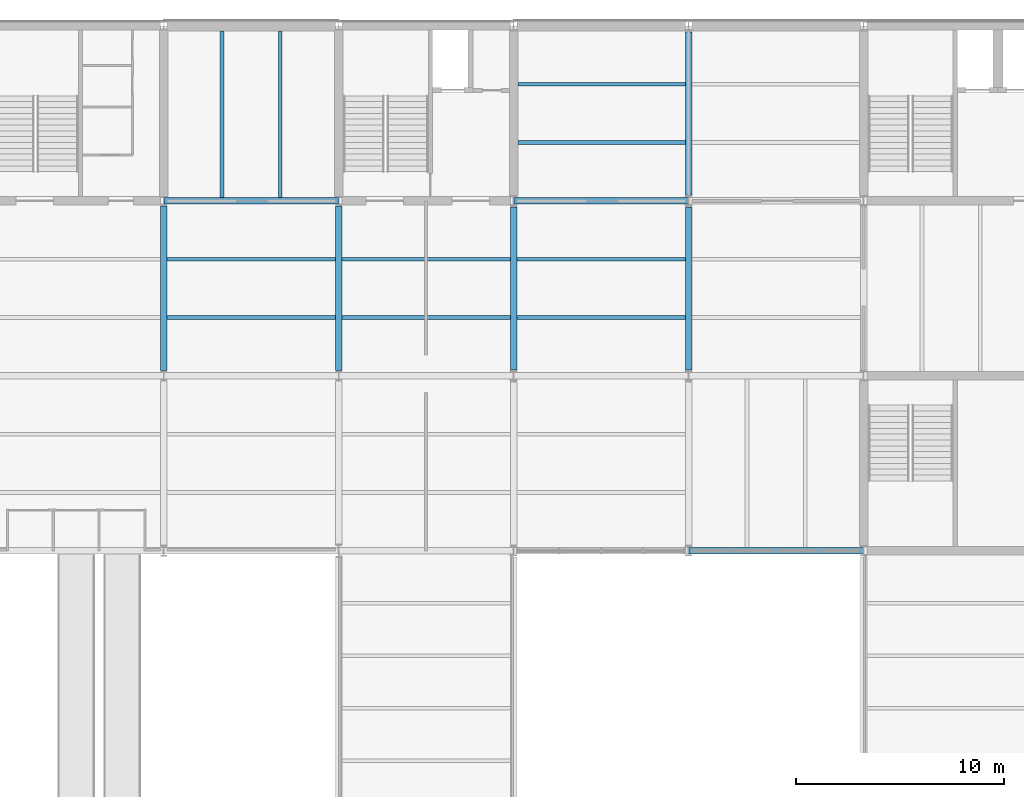
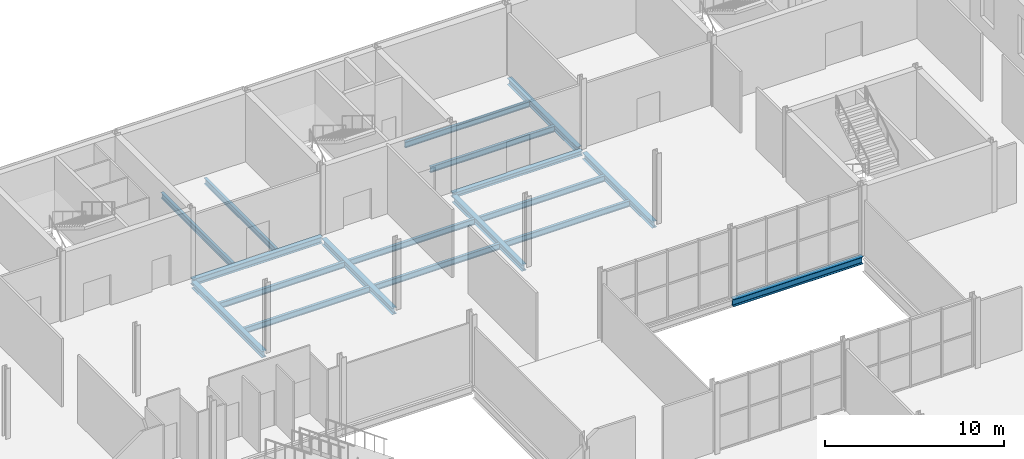
# One storey, part 23 of 52: 18 beams.
"""IFC4 building model written with IfcOpenShell, lengths in metres."""

import ifcopenshell
import ifcopenshell.guid

model = None  # the IFC model being written
_history = None  # IfcOwnerHistory: only IFC2X3 demands one
_inside = {}  # id of a spatial element -> (the spatial element, [elements in it])
_under = {}  # id of a project, library or spatial element -> (it, [spatial elements below it])
_declared = {}  # id of a project -> (the project, [libraries it declares])
_typed = {}  # id of a type object -> (the type object, [elements of that type])
_made_of = {}  # id of a material, layer set ... -> (it, [elements and type objects made of it])


def new_model(schema):
    """Start an empty IFC model of exactly this schema.

    Asked for "IFC4X3", IfcOpenShell would pick the latest addendum, in which some entities
    have other attributes; the version numbers below select the first issue.
    IFC2X3 requires an IfcOwnerHistory on every rooted entity: one is made here for all.
    """
    global model, _history
    if schema == "IFC4X3":
        model = ifcopenshell.file(schema_version=(4, 3, 0, 0))
    else:
        model = ifcopenshell.file(schema=schema)
    _inside.clear()
    _under.clear()
    _declared.clear()
    _typed.clear()
    _made_of.clear()
    _history = None
    if model.schema == "IFC2X3":
        org = make("IfcOrganization", Name="unknown")
        user = make(
            "IfcPersonAndOrganization",
            ThePerson=make("IfcPerson", FamilyName="unknown"),
            TheOrganization=org,
        )
        app = make(
            "IfcApplication",
            ApplicationDeveloper=org,
            Version="unknown",
            ApplicationFullName="unknown",
            ApplicationIdentifier="unknown",
        )
        _history = make(
            "IfcOwnerHistory",
            OwningUser=user,
            OwningApplication=app,
            ChangeAction="ADDED",
            CreationDate=0,
        )
    return model


def make(cls, **values):
    """One entity of the class cls with the attributes given. An attribute that is None is left unset."""
    return model.create_entity(
        cls, **{name: value for name, value in values.items() if value is not None}
    )


def rooted(cls, **values):
    """An entity with a GlobalId (a new one), such as an element, a storey or a relation."""
    return make(cls, GlobalId=ifcopenshell.guid.new(), OwnerHistory=_history, **values)


def si_unit(unit_type, name, prefix=None):
    """IfcSIUnit, for example si_unit("LENGTHUNIT", "METRE", prefix="MILLI")."""
    return make("IfcSIUnit", UnitType=unit_type, Prefix=prefix, Name=name)


def assignment(units):
    """IfcUnitAssignment: the units of a project."""
    return None if units is None else make("IfcUnitAssignment", Units=units)


def point(xyz):
    """IfcCartesianPoint."""
    return None if xyz is None else make("IfcCartesianPoint", Coordinates=xyz)


def direction(xyz):
    """IfcDirection."""
    return None if xyz is None else make("IfcDirection", DirectionRatios=xyz)


def frame(location, z_axis=None, x_axis=None):
    """IfcAxis2Placement3D, a coordinate frame: its origin and axes. An axis left out is left unset."""
    return make(
        "IfcAxis2Placement3D",
        Location=point(location),
        Axis=direction(z_axis),
        RefDirection=direction(x_axis),
    )


def frame_2d(location, x_axis=None):
    """IfcAxis2Placement2D, a coordinate frame in the plane: its origin and x axis."""
    return make(
        "IfcAxis2Placement2D", Location=point(location), RefDirection=direction(x_axis)
    )


def origin():
    """The frame at (0, 0, 0) with its axes left unset."""
    return frame((0.0, 0.0, 0.0))


def origin_2d():
    """The frame at (0, 0) in the plane with its x axis left unset."""
    return frame_2d((0.0, 0.0))


def place(relative_to, where):
    """IfcLocalPlacement: puts the frame where relative to a parent placement (None: the world)."""
    return make(
        "IfcLocalPlacement", PlacementRelTo=relative_to, RelativePlacement=where
    )


def context(
    kind, dimensions, precision=None, world=None, true_north=None, identifier=None
):
    """IfcGeometricRepresentationContext, for example the 3D "Model" context."""
    return make(
        "IfcGeometricRepresentationContext",
        ContextIdentifier=identifier,
        ContextType=kind,
        CoordinateSpaceDimension=dimensions,
        Precision=precision,
        WorldCoordinateSystem=world,
        TrueNorth=true_north,
    )


def subcontext(parent, identifier, kind, view, scale=None):
    """IfcGeometricRepresentationSubContext, for example "Body" below "Model"."""
    return make(
        "IfcGeometricRepresentationSubContext",
        ContextIdentifier=identifier,
        ContextType=kind,
        ParentContext=parent,
        TargetScale=scale,
        TargetView=view,
    )


def project(units=None, contexts=None):
    """IfcProject with its units and contexts."""
    return rooted(
        "IfcProject",
        Name="project",
        RepresentationContexts=contexts,
        UnitsInContext=assignment(units),
    )


def spatial(cls, under=None, at=None, **own):
    """A site, building, storey or space (cls), placed at a placement, below another one or the project."""
    s = rooted(cls, ObjectPlacement=at, **own)
    if under is not None:
        _under.setdefault(under.id(), (under, []))[1].append(s)
    return s


def profile(cls, at=None, kind="AREA", **sizes):
    """A parametric profile (cls). Its sizes go by their IFC names, for example OverallWidth=200.0."""
    return make(cls, ProfileType=kind, Position=at, **sizes)


def i_section(**sizes):
    """IfcIShapeProfileDef."""
    return profile("IfcIShapeProfileDef", **sizes)


def extrude(swept, where, along, depth):
    """IfcExtrudedAreaSolid: the profile swept, set in the frame where, extruded along a direction by depth."""
    return make(
        "IfcExtrudedAreaSolid",
        SweptArea=swept,
        Position=where,
        ExtrudedDirection=direction(along),
        Depth=depth,
    )


def shape(context_of_items, identifier, shape_type, items):
    """IfcShapeRepresentation: the items that make up one representation, for example the "Body"."""
    return make(
        "IfcShapeRepresentation",
        ContextOfItems=context_of_items,
        RepresentationIdentifier=identifier,
        RepresentationType=shape_type,
        Items=items,
    )


def material(Name=None, Category=None):
    """IfcMaterial."""
    return make("IfcMaterial", Name=Name, Category=Category)


def material_profile(
    of_material, cross_section, Name=None, Category=None, Priority=None
):
    """IfcMaterialProfile: a cross section and its material."""
    return make(
        "IfcMaterialProfile",
        Name=Name,
        Material=of_material,
        Profile=cross_section,
        Priority=Priority,
        Category=Category,
    )


def profile_set(profiles, Name=None, composite=None):
    """IfcMaterialProfileSet."""
    return make(
        "IfcMaterialProfileSet",
        Name=Name,
        MaterialProfiles=profiles,
        CompositeProfile=composite,
    )


def made_of(thing, what):
    """Note that an element or type object is made of a material, layer set ...; save() writes the relation."""
    if what is not None:
        _made_of.setdefault(what.id(), (what, []))[1].append(thing)
    return thing


def type_object(cls, material=None, **own):
    """A type object (cls), such as IfcWallType, which elements share."""
    return made_of(rooted(cls, **own), material)


def element(
    cls,
    number,
    at=None,
    inside=None,
    cuts=None,
    type_object=None,
    material=None,
    context=None,
    identifier="Body",
    shape_type=None,
    held_by="IfcProductDefinitionShape",
    body=None,
    shapes=None,
    **own,
):
    """One element of the class cls, such as IfcWall. Its Tag is "e" and its number.

    at: its placement. inside: the storey or other place that contains it. cuts: it is an
    opening in that element (IfcRelVoidsElement). A single representation is given by context,
    identifier, shape_type and body (its items); several are given by shapes. held_by: the class
    of the entity that holds the representations. save() writes the other relations.
    """
    e = rooted(cls, Tag="e%d" % number, ObjectPlacement=at, **own)
    if body is not None:
        shapes = [shape(context, identifier, shape_type, body)]
    if shapes is not None:
        e.Representation = make(held_by, Representations=shapes)
    if inside is not None:
        _inside.setdefault(inside.id(), (inside, []))[1].append(e)
    if cuts is not None:
        rooted(
            "IfcRelVoidsElement", RelatingBuildingElement=cuts, RelatedOpeningElement=e
        )
    if type_object is not None:
        _typed.setdefault(type_object.id(), (type_object, []))[1].append(e)
    return made_of(e, material)


def aggregate(whole, parts):
    """IfcRelAggregates: a whole, such as a stair, and the parts it consists of."""
    return rooted("IfcRelAggregates", RelatingObject=whole, RelatedObjects=parts)


def save(model, path):
    """Write the relations noted so far, then the file.

    IfcRelAggregates (storeys below a building ...), IfcRelContainedInSpatialStructure (elements
    in a storey), IfcRelDefinesByType, IfcRelAssociatesMaterial and IfcRelDeclares: one each for
    every whole, place, type object, material and project.
    """
    for whole, parts in _under.values():
        aggregate(whole, parts)
    for where, things in _inside.values():
        rooted(
            "IfcRelContainedInSpatialStructure",
            RelatedElements=things,
            RelatingStructure=where,
        )
    for kind, things in _typed.values():
        rooted("IfcRelDefinesByType", RelatedObjects=things, RelatingType=kind)
    for what, things in _made_of.values():
        rooted("IfcRelAssociatesMaterial", RelatedObjects=things, RelatingMaterial=what)
    for by, libraries in _declared.values():
        rooted("IfcRelDeclares", RelatingContext=by, RelatedDefinitions=libraries)
    model.write(path)


model = new_model("IFC4")

# Units and contexts
model_context = context("Model", 3, precision=1e-05, world=origin(), true_north=direction((0.0, 1.0)))
body_context = subcontext(model_context, "Body", "Model", "MODEL_VIEW")
ifc_project = project(units=[si_unit("LENGTHUNIT", "METRE"), si_unit("AREAUNIT", "SQUARE_METRE"), si_unit("VOLUMEUNIT", "CUBIC_METRE"), si_unit("PLANEANGLEUNIT", "RADIAN"), si_unit("MASSUNIT", "GRAM", prefix="KILO")], contexts=[model_context])

# Site, building, storey
site_placement = place(None, origin())
site = spatial("IfcSite", under=ifc_project, at=site_placement, CompositionType="ELEMENT")
building_placement = place(site_placement, origin())
building = spatial("IfcBuilding", under=site, at=building_placement, Name="Galleria Vessillo Department Store", CompositionType="ELEMENT")
storey_placement = place(building_placement, frame((0.0, 0.0, 16.199951171875)))
storey = spatial("IfcBuildingStorey", under=building, at=storey_placement, Name="L03", CompositionType="ELEMENT", Elevation=16.199951171875)

# Beams
ifc_material_1 = material(Name="Steel S355 J2", Category="steel")
ifc_material_profile_1 = material_profile(ifc_material_1, i_section(OverallWidth=0.300048828125, OverallDepth=0.43994140625, WebThickness=0.011474609375, FlangeThickness=0.02099609375, FilletRadius=0.027099609375, at=origin_2d()), Name="HEA 450")
ifc_profile_set_1 = profile_set([ifc_material_profile_1], Name="Steel S355 J2")
beam_type_1 = type_object("IfcBeamType", Name="Floor girder HEA 450", PredefinedType="BEAM", material=ifc_profile_set_1)
beam_1_placement = place(storey_placement, frame((67.207275390625, 54.60009765625, -0.369873046875), z_axis=(1.0, 0.0, 0.0), x_axis=(0.0, 1.0, 0.0)))
element("IfcBeam", 1, at=beam_1_placement, inside=storey, type_object=beam_type_1, Name="S-BM-L03-GI-x54600-67207", PredefinedType="BEAM", context=body_context, shape_type="SweptSolid", body=[
    extrude(i_section(OverallWidth=0.300048828125, OverallDepth=0.43994140625, WebThickness=0.011474609375, FlangeThickness=0.02099609375, FilletRadius=0.027099609375, at=origin_2d()), origin(), (0.0, 0.0, 1.0), 8.38525390625),
])
for number, where, z_axis, x_axis, name in (
    (2, (67.199951171875, 46.4501953125, -0.369873046875), (0.0, 1.0, 0.0), (-1.0, 0.0, 0.0), "S-BM-L03-GI-y67200-46450"),
    (3, (75.60009765625, 46.4501953125, -0.369873046875), (0.0, 1.0, 0.0), (-1.0, 0.0, 0.0), "S-BM-L03-GI-y75600-46450"),
):
    element("IfcBeam", number, at=place(storey_placement, frame(where, z_axis=z_axis, x_axis=x_axis)), inside=storey, type_object=beam_type_1, Name=name, PredefinedType="BEAM", context=body_context, shape_type="SweptSolid", body=[
        extrude(i_section(OverallWidth=0.300048828125, OverallDepth=0.43994140625, WebThickness=0.011474609375, FlangeThickness=0.02099609375, FilletRadius=0.027099609375, at=origin_2d()), origin(), (0.0, 0.0, 1.0), 7.899658203125),
    ])
for number, where, z_axis, x_axis, name in (
    (4, (84.0, 46.486083984375, -0.369873046875), (0.0, 1.0, 0.0), (-1.0, 0.0, 0.0), "S-BM-L03-GI-y84000-46486"),
    (5, (92.39990234375, 46.486083984375, -0.369873046875), (0.0, 1.0, 0.0), (-1.0, 0.0, 0.0), "S-BM-L03-GI-y92400-46486"),
):
    element("IfcBeam", number, at=place(storey_placement, frame(where, z_axis=z_axis, x_axis=x_axis)), inside=storey, type_object=beam_type_1, Name=name, PredefinedType="BEAM", context=body_context, shape_type="SweptSolid", body=[
        extrude(i_section(OverallWidth=0.300048828125, OverallDepth=0.43994140625, WebThickness=0.011474609375, FlangeThickness=0.02099609375, FilletRadius=0.027099609375, at=origin_2d()), origin(), (0.0, 0.0, 1.0), 7.827880859375),
    ])
beam_2_placement = place(storey_placement, frame((92.39990234375, 54.88623046875, -0.369873046875), z_axis=(0.0, 1.0, 0.0), x_axis=(-1.0, 0.0, 0.0)))
element("IfcBeam", 6, at=beam_2_placement, inside=storey, type_object=beam_type_1, Name="S-BM-L03-GI-y92400-54886", PredefinedType="BEAM", context=body_context, shape_type="SweptSolid", body=[
    extrude(i_section(OverallWidth=0.300048828125, OverallDepth=0.43994140625, WebThickness=0.011474609375, FlangeThickness=0.02099609375, FilletRadius=0.027099609375, at=origin_2d()), origin(), (0.0, 0.0, 1.0), 7.82763671875),
])
ifc_material_2 = material(Name="Steel S355 J2", Category="steel")
ifc_material_profile_2 = material_profile(ifc_material_2, i_section(OverallWidth=0.179931640625, OverallDepth=0.39990234375, WebThickness=0.008544921875, FlangeThickness=0.013427734375, FilletRadius=0.02099609375, at=origin_2d()), Name="IPE 400")
ifc_profile_set_2 = profile_set([ifc_material_profile_2], Name="Steel S355 J2")
beam_type_2 = type_object("IfcBeamType", Name="Floor joist IPE 400", PredefinedType="JOIST", material=ifc_profile_set_2)
for number, where, z_axis, x_axis, name in (
    (7, (67.35009765625, 49.0, -0.349853515625), (1.0, 0.0, 0.0), (0.0, 1.0, 0.0), "S-BM-L03-JO-x49000-67350"),
    (8, (67.35009765625, 51.800048828125, -0.349853515625), (1.0, 0.0, 0.0), (0.0, 1.0, 0.0), "S-BM-L03-JO-x51800-67350"),
):
    element("IfcBeam", number, at=place(storey_placement, frame(where, z_axis=z_axis, x_axis=x_axis)), inside=storey, type_object=beam_type_2, Name=name, PredefinedType="JOIST", context=body_context, shape_type="SweptSolid", body=[
        extrude(i_section(OverallWidth=0.179931640625, OverallDepth=0.39990234375, WebThickness=0.008544921875, FlangeThickness=0.013427734375, FilletRadius=0.02099609375, at=origin_2d()), origin(), (0.0, 0.0, 1.0), 8.099853515625),
    ])
for number, where, z_axis, x_axis, name in (
    (9, (70.0, 54.750244140625, -0.349853515625), (0.0, 1.0, 0.0), (-1.0, 0.0, 0.0), "S-BM-L03-JO-y70000-54750"),
    (10, (72.800048828125, 54.750244140625, -0.349853515625), (0.0, 1.0, 0.0), (-1.0, 0.0, 0.0), "S-BM-L03-JO-y72800-54750"),
):
    element("IfcBeam", number, at=place(storey_placement, frame(where, z_axis=z_axis, x_axis=x_axis)), inside=storey, type_object=beam_type_2, Name=name, PredefinedType="JOIST", context=body_context, shape_type="SweptSolid", body=[
        extrude(i_section(OverallWidth=0.179931640625, OverallDepth=0.39990234375, WebThickness=0.008544921875, FlangeThickness=0.013427734375, FilletRadius=0.02099609375, at=origin_2d()), origin(), (0.0, 0.0, 1.0), 7.99951171875),
    ])
for number, where, z_axis, x_axis, name in (
    (11, (75.750244140625, 49.0, -0.349853515625), (1.0, 0.0, 0.0), (0.0, 1.0, 0.0), "S-BM-L03-JO-x49000-75750"),
    (12, (75.750244140625, 51.800048828125, -0.349853515625), (1.0, 0.0, 0.0), (0.0, 1.0, 0.0), "S-BM-L03-JO-x51800-75750"),
    (13, (84.150146484375, 49.0, -0.349853515625), (1.0, 0.0, 0.0), (0.0, 1.0, 0.0), "S-BM-L03-JO-x49000-84150"),
    (14, (84.150146484375, 51.800048828125, -0.349853515625), (1.0, 0.0, 0.0), (0.0, 1.0, 0.0), "S-BM-L03-JO-x51800-84150"),
):
    element("IfcBeam", number, at=place(storey_placement, frame(where, z_axis=z_axis, x_axis=x_axis)), inside=storey, type_object=beam_type_2, Name=name, PredefinedType="JOIST", context=body_context, shape_type="SweptSolid", body=[
        extrude(i_section(OverallWidth=0.179931640625, OverallDepth=0.39990234375, WebThickness=0.008544921875, FlangeThickness=0.013427734375, FilletRadius=0.02099609375, at=origin_2d()), origin(), (0.0, 0.0, 1.0), 8.099609375),
    ])
for number, where, z_axis, x_axis, name in (
    (15, (84.2001953125, 57.39990234375, -0.349853515625), (1.0, 0.0, 0.0), (0.0, 1.0, 0.0), "S-BM-L03-JO-x57400-84200"),
    (16, (84.2001953125, 60.199951171875, -0.349853515625), (1.0, 0.0, 0.0), (0.0, 1.0, 0.0), "S-BM-L03-JO-x60200-84200"),
):
    element("IfcBeam", number, at=place(storey_placement, frame(where, z_axis=z_axis, x_axis=x_axis)), inside=storey, type_object=beam_type_2, Name=name, PredefinedType="JOIST", context=body_context, shape_type="SweptSolid", body=[
        extrude(i_section(OverallWidth=0.179931640625, OverallDepth=0.39990234375, WebThickness=0.008544921875, FlangeThickness=0.013427734375, FilletRadius=0.02099609375, at=origin_2d()), origin(), (0.0, 0.0, 1.0), 8.049560546875),
    ])
ifc_material_3 = material(Name="Steel S355 J2", Category="steel")
ifc_material_profile_3 = material_profile(ifc_material_3, i_section(OverallWidth=0.300048828125, OverallDepth=0.330078125, WebThickness=0.009521484375, FlangeThickness=0.0166015625, FilletRadius=0.027099609375, at=origin_2d()), Name="HEA 340")
ifc_profile_set_3 = profile_set([ifc_material_profile_3], Name="Steel S355 J2")
beam_type_3 = type_object("IfcBeamType", Name="Floor tie girder HEA 340", PredefinedType="BEAM", material=ifc_profile_set_3)
beam_3_placement = place(storey_placement, frame((84.0107421875, 54.60009765625, -0.31494140625), z_axis=(1.0, 0.0, 0.0), x_axis=(0.0, 1.0, 0.0)))
element("IfcBeam", 17, at=beam_3_placement, inside=storey, type_object=beam_type_3, Name="S-BM-L03-TI-x54600-84011", PredefinedType="BEAM", context=body_context, shape_type="SweptSolid", body=[
    extrude(i_section(OverallWidth=0.300048828125, OverallDepth=0.330078125, WebThickness=0.009521484375, FlangeThickness=0.0166015625, FilletRadius=0.027099609375, at=origin_2d()), origin(), (0.0, 0.0, 1.0), 8.378662109375),
])
ifc_material_4 = material(Name="Steel S355 J2", Category="steel")
ifc_material_profile_4 = material_profile(ifc_material_4, i_section(OverallWidth=0.300048828125, OverallDepth=0.489990234375, WebThickness=0.011962890625, FlangeThickness=0.02294921875, FilletRadius=0.027099609375, at=origin_2d()), Name="HEA 500")
ifc_profile_set_4 = profile_set([ifc_material_profile_4], Name="Steel S355 J2")
beam_type_4 = type_object("IfcBeamType", Name="Trimmer beam HEA 500", PredefinedType="BEAM", material=ifc_profile_set_4)
beam_4_placement = place(storey_placement, frame((92.41064453125, 37.800048828125, -0.39501953125), z_axis=(1.0, 0.0, 0.0), x_axis=(0.0, 1.0, 0.0)))
element("IfcBeam", 18, at=beam_4_placement, inside=storey, type_object=beam_type_4, Name="S-BM-L03-TR-x37800-92411", PredefinedType="BEAM", context=body_context, shape_type="SweptSolid", body=[
    extrude(i_section(OverallWidth=0.300048828125, OverallDepth=0.489990234375, WebThickness=0.011962890625, FlangeThickness=0.02294921875, FilletRadius=0.027099609375, at=origin_2d()), origin(), (0.0, 0.0, 1.0), 8.378662109375),
])

save(model, "model.ifc")
